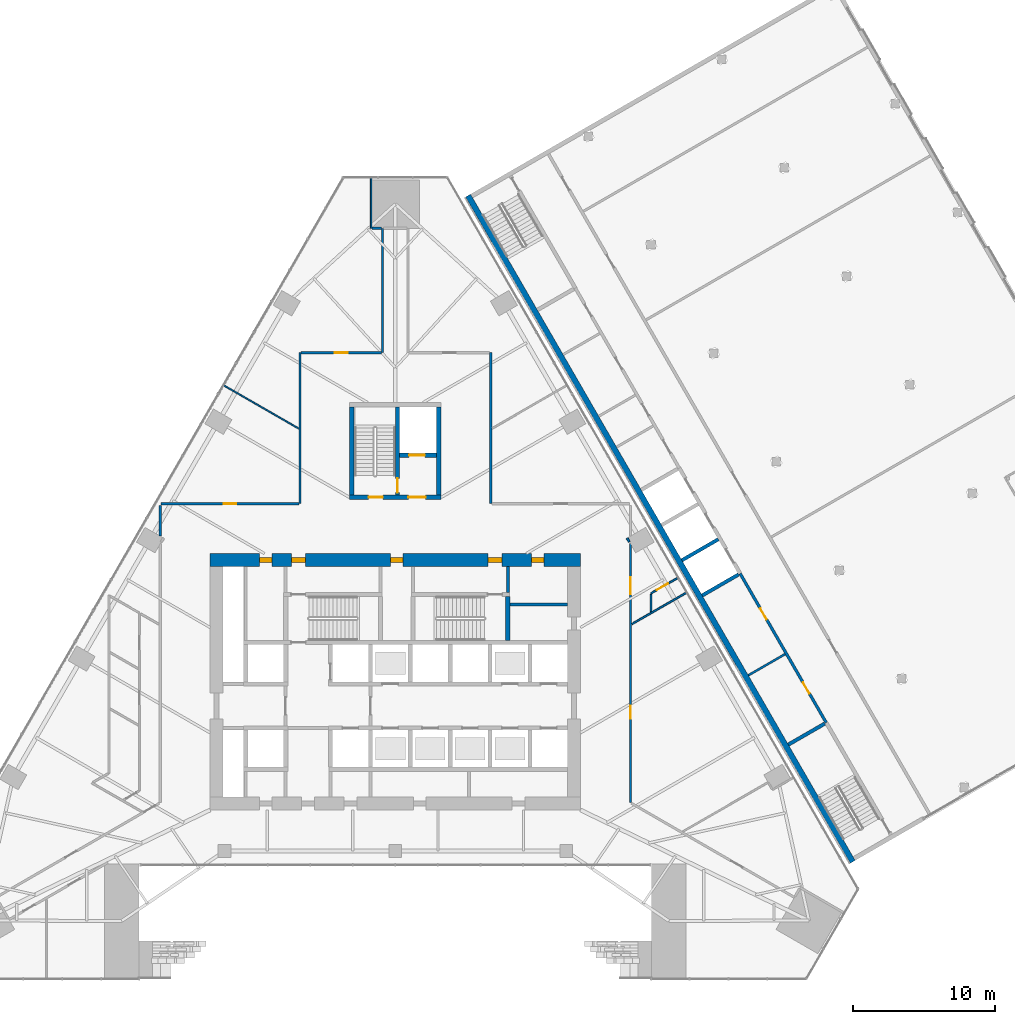
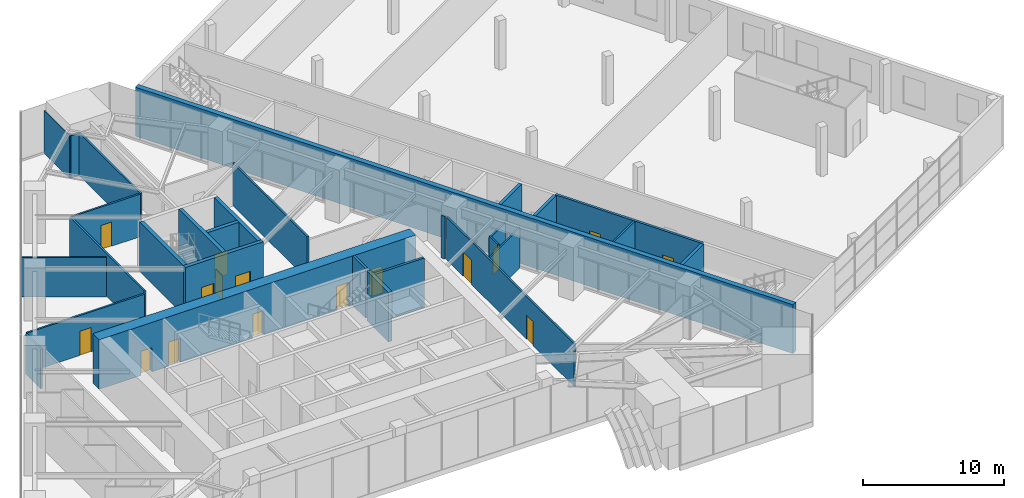
# One storey, part 19 of 29: 29 walls, 16 doors, 16 openings.
"""IFC4 building model written with IfcOpenShell, lengths in metres."""

from ifc_helpers import new_model, si_unit, direction, frame, frame_2d, origin, place, context, subcontext, project, spatial, rectangle, extrude, material, layer, layer_set, type_object, element, fill, save


model = new_model("IFC4")

# Units and contexts
model_context = context("Model", 3, precision=1e-05, world=origin(), true_north=direction((0.0, 1.0)))
body_context = subcontext(model_context, "Body", "Model", "MODEL_VIEW")
ifc_project = project(units=[si_unit("LENGTHUNIT", "METRE"), si_unit("AREAUNIT", "SQUARE_METRE"), si_unit("VOLUMEUNIT", "CUBIC_METRE"), si_unit("PLANEANGLEUNIT", "RADIAN"), si_unit("MASSUNIT", "GRAM", prefix="KILO")], contexts=[model_context])

# Site, building, storey
site_placement = place(None, origin())
site = spatial("IfcSite", under=ifc_project, at=site_placement, CompositionType="ELEMENT")
building_placement = place(site_placement, origin())
building = spatial("IfcBuilding", under=site, at=building_placement, Name="Firuza Gate Tower and Library", CompositionType="ELEMENT")
storey_placement = place(building_placement, frame((0.0, 0.0, 8.0)))
storey = spatial("IfcBuildingStorey", under=building, at=storey_placement, Name="L01", CompositionType="ELEMENT", Elevation=8.0)

# Walls
ifc_material_1 = material(Name="Plasterboard on steel studs", Category="steel")
ifc_layer_1 = layer(ifc_material_1, 0.199951171875)
ifc_layer_set_1 = layer_set([ifc_layer_1], Name="Core partition 200 EI 60")
wall_type_1 = type_object("IfcWallType", Name="Core partition 200 EI 60", PredefinedType="PARTITIONING", material=ifc_layer_set_1)
wall_1_placement = place(storey_placement, frame((83.050048828125, 80.425048828125, 0.0), z_axis=(0.0, 0.0, 1.0), x_axis=(1.0, 0.0, 0.0)))
element("IfcWall", 1, at=wall_1_placement, inside=storey, type_object=wall_type_1, Name="Core partition L01 4", PredefinedType="PARTITIONING", context=body_context, shape_type="SweptSolid", body=[
    extrude(rectangle(XDim=4.050048828125, YDim=0.199951171875, at=frame_2d((2.02490234375, 0.0))), origin(), (0.0, 0.0, 1.0), 4.300048828125),
])
wall_2_placement = place(storey_placement, frame((82.89990234375, 81.280029296875, 0.0), z_axis=(0.0, 0.0, 1.0), x_axis=(0.0, 1.0, 0.0)))
element("IfcWall", 2, at=wall_2_placement, inside=storey, type_object=wall_type_1, Name="Core partition L01 16", PredefinedType="PARTITIONING", context=body_context, shape_type="SweptSolid", body=[
    extrude(rectangle(XDim=1.820068359375, YDim=0.199951171875, at=frame_2d((0.91015625, 0.0))), origin(), (0.0, 0.0, 1.0), 4.300048828125),
])
ifc_material_2 = material(Name="Concrete C80/95", Category="concrete")
ifc_layer_2 = layer(ifc_material_2, 0.300048828125)
ifc_layer_set_2 = layer_set([ifc_layer_2], Name="Core wall 300 C80/95")
wall_type_2 = type_object("IfcWallType", Name="Core wall 300 C80/95", PredefinedType="SHEAR", material=ifc_layer_set_2)
wall_3_placement = place(storey_placement, frame((82.89990234375, 77.89990234375, 0.0), z_axis=(0.0, 0.0, 1.0), x_axis=(0.0, 1.0, 0.0)))
element("IfcWall", 3, at=wall_3_placement, inside=storey, type_object=wall_type_2, Name="Core wall L01 33", PredefinedType="SHEAR", context=body_context, shape_type="SweptSolid", body=[
    extrude(rectangle(XDim=3.080078125, YDim=0.300048828125, at=frame_2d((1.5400390625, 0.0))), origin(), (0.0, 0.0, 1.0), 4.300048828125),
])

# Wall, openings, doors
wall_4_placement = place(storey_placement, frame((71.800048828125, 87.949951171875, 0.0), z_axis=(0.0, 0.0, 1.0), x_axis=(1.0, 0.0, 0.0)))
wall_4 = element("IfcWall", 4, at=wall_4_placement, inside=storey, type_object=wall_type_2, Name="Core wall L01 34", PredefinedType="SHEAR", context=body_context, shape_type="SweptSolid", body=[
    extrude(rectangle(XDim=6.39990234375, YDim=0.300048828125, at=frame_2d((3.199951171875, 0.0))), origin(), (0.0, 0.0, 1.0), 4.300048828125),
])
opening_1_placement = place(wall_4_placement, frame((1.324951171875, 0.0, 0.0)))
opening_1 = element("IfcOpeningElement", 5, at=opening_1_placement, cuts=wall_4, Name="Opening L01-K17", PredefinedType="OPENING", context=body_context, shape_type="SweptSolid", body=[
    extrude(rectangle(XDim=1.0, YDim=2.10009765625, at=frame_2d((0.5, 1.050048828125))), frame((0.0, 0.16015625, 0.0), z_axis=(0.0, -1.0, 0.0), x_axis=(1.0, 0.0, 0.0)), (0.0, 0.0, 1.0), 0.320068359375),
])
opening_2_placement = place(wall_4_placement, frame((4.125, 0.0, 0.0)))
opening_2 = element("IfcOpeningElement", 6, at=opening_2_placement, cuts=wall_4, Name="Opening L01-K19", PredefinedType="OPENING", context=body_context, shape_type="SweptSolid", body=[
    extrude(rectangle(XDim=1.199951171875, YDim=2.10009765625, at=frame_2d((0.60009765625, 1.050048828125))), frame((0.0, 0.16015625, 0.0), z_axis=(0.0, -1.0, 0.0), x_axis=(1.0, 0.0, 0.0)), (0.0, 0.0, 1.0), 0.320068359375),
])
ifc_material_3 = material(Name="Steel", Category="steel")
door_type_1 = type_object("IfcDoorType", Name="Fire door 1000x2100 FD90", OperationType="NOTDEFINED", PredefinedType="DOOR", material=ifc_material_3)
door_1_placement = place(opening_1_placement, origin())
door_1 = element("IfcDoor", 7, at=door_1_placement, inside=storey, type_object=door_type_1, Name="Door L01-K17", OperationType="SINGLE_SWING_RIGHT", OverallHeight=2.10009765625, OverallWidth=1.0, PredefinedType="DOOR", context=body_context, shape_type="SweptSolid", body=[
    extrude(rectangle(XDim=1.0, YDim=2.10009765625, at=frame_2d((0.5, 1.050048828125))), frame((0.0, 0.02490234375, 0.0), z_axis=(0.0, -1.0, 0.0), x_axis=(1.0, 0.0, 0.0)), (0.0, 0.0, 1.0), 0.050048828125),
])
fill(opening_1, door_1)
ifc_material_4 = material(Name="Steel", Category="steel")
door_type_2 = type_object("IfcDoorType", Name="Fire door 1200x2100 FD30S", OperationType="NOTDEFINED", PredefinedType="DOOR", material=ifc_material_4)
door_2_placement = place(opening_2_placement, origin())
door_2 = element("IfcDoor", 8, at=door_2_placement, inside=storey, type_object=door_type_2, Name="Door L01-K19", OperationType="SINGLE_SWING_RIGHT", OverallHeight=2.10009765625, OverallWidth=1.199951171875, PredefinedType="DOOR", context=body_context, shape_type="SweptSolid", body=[
    extrude(rectangle(XDim=1.199951171875, YDim=2.10009765625, at=frame_2d((0.60009765625, 1.050048828125))), frame((0.0, 0.02490234375, 0.0), z_axis=(0.0, -1.0, 0.0), x_axis=(1.0, 0.0, 0.0)), (0.0, 0.0, 1.0), 0.050048828125),
])
fill(opening_2, door_2)

# Walls
for number, where, z_axis, x_axis, name in (
    (9, (71.949951171875, 88.10009765625, 0.0), (0.0, 0.0, 1.0), (0.0, 1.0, 0.0), "Core wall L01 36"),
    (10, (78.050048828125, 88.10009765625, 0.0), (0.0, 0.0, 1.0), (0.0, 1.0, 0.0), "Core wall L01 37"),
):
    element("IfcWall", number, at=place(storey_placement, frame(where, z_axis=z_axis, x_axis=x_axis)), inside=storey, type_object=wall_type_2, Name=name, PredefinedType="SHEAR", context=body_context, shape_type="SweptSolid", body=[
        extrude(rectangle(XDim=6.199951171875, YDim=0.300048828125, at=frame_2d((3.10009765625, 0.0))), origin(), (0.0, 0.0, 1.0), 4.300048828125),
    ])

# Wall, opening, door
wall_5_placement = place(storey_placement, frame((75.300048828125, 90.89990234375, 0.0), z_axis=(0.0, 0.0, 1.0), x_axis=(1.0, 0.0, 0.0)))
wall_5 = element("IfcWall", 11, at=wall_5_placement, inside=storey, type_object=wall_type_2, Name="Core wall L01 38", PredefinedType="SHEAR", context=body_context, shape_type="SweptSolid", body=[
    extrude(rectangle(XDim=2.599853515625, YDim=0.300048828125, at=frame_2d((1.2998046875, 0.0))), origin(), (0.0, 0.0, 1.0), 4.300048828125),
])
opening_3_placement = place(wall_5_placement, frame((0.675048828125, 0.0, 0.0)))
opening_3 = element("IfcOpeningElement", 12, at=opening_3_placement, cuts=wall_5, Name="Opening LD-SV1-L01", PredefinedType="OPENING", context=body_context, shape_type="SweptSolid", body=[
    extrude(rectangle(XDim=1.10009765625, YDim=2.10009765625, at=frame_2d((0.550048828125, 1.050048828125))), frame((0.0, 0.16015625, 0.0), z_axis=(0.0, -1.0, 0.0), x_axis=(1.0, 0.0, 0.0)), (0.0, 0.0, 1.0), 0.320068359375),
])
ifc_material_5 = material(Name="Stainless steel", Category="steel")
door_type_3 = type_object("IfcDoorType", Name="Lift landing door 1100x2100", OperationType="DOUBLE_DOOR_SLIDING", PredefinedType="DOOR", material=ifc_material_5)
door_3_placement = place(opening_3_placement, origin())
door_3 = element("IfcDoor", 13, at=door_3_placement, inside=storey, type_object=door_type_3, Name="Landing door SV1 L01", OperationType="DOUBLE_DOOR_SLIDING", OverallHeight=2.10009765625, OverallWidth=1.10009765625, PredefinedType="DOOR", context=body_context, shape_type="SweptSolid", body=[
    extrude(rectangle(XDim=1.10009765625, YDim=2.10009765625, at=frame_2d((0.550048828125, 1.050048828125))), frame((0.0, 0.02490234375, 0.0), z_axis=(0.0, -1.0, 0.0), x_axis=(1.0, 0.0, 0.0)), (0.0, 0.0, 1.0), 0.050048828125),
])
fill(opening_3, door_3)

wall_6_placement = place(storey_placement, frame((75.14990234375, 88.10009765625, 0.0), z_axis=(0.0, 0.0, 1.0), x_axis=(0.0, 1.0, 0.0)))
wall_6 = element("IfcWall", 14, at=wall_6_placement, inside=storey, type_object=wall_type_2, Name="Core wall L01 39", PredefinedType="SHEAR", context=body_context, shape_type="SweptSolid", body=[
    extrude(rectangle(XDim=6.199951171875, YDim=0.300048828125, at=frame_2d((3.10009765625, 0.0))), origin(), (0.0, 0.0, 1.0), 4.300048828125),
])
opening_4_placement = place(wall_6_placement, frame((0.18505859375, 0.0, 0.0)))
opening_4 = element("IfcOpeningElement", 15, at=opening_4_placement, cuts=wall_6, Name="Opening L01-K18", PredefinedType="OPENING", context=body_context, shape_type="SweptSolid", body=[
    extrude(rectangle(XDim=1.0, YDim=2.10009765625, at=frame_2d((0.5, 1.050048828125))), frame((0.0, 0.16015625, 0.0), z_axis=(0.0, -1.0, 0.0), x_axis=(1.0, 0.0, 0.0)), (0.0, 0.0, 1.0), 0.320068359375),
])
door_4_placement = place(opening_4_placement, origin())
door_4 = element("IfcDoor", 16, at=door_4_placement, inside=storey, type_object=door_type_1, Name="Door L01-K18", OperationType="SINGLE_SWING_LEFT", OverallHeight=2.10009765625, OverallWidth=1.0, PredefinedType="DOOR", context=body_context, shape_type="SweptSolid", body=[
    extrude(rectangle(XDim=1.0, YDim=2.10009765625, at=frame_2d((0.5, 1.050048828125))), frame((0.0, 0.02490234375, 0.0), z_axis=(0.0, -1.0, 0.0), x_axis=(1.0, 0.0, 0.0)), (0.0, 0.0, 1.0), 0.050048828125),
])
fill(opening_4, door_4)

# Wall, openings, doors
ifc_material_6 = material(Name="Concrete C80/95", Category="concrete")
ifc_layer_3 = layer(ifc_material_6, 0.89990234375)
ifc_layer_set_3 = layer_set([ifc_layer_3], Name="Core wall 900 C80/95")
wall_type_3 = type_object("IfcWallType", Name="Core wall 900 C80/95", PredefinedType="SHEAR", material=ifc_layer_set_3)
wall_7_placement = place(storey_placement, frame((62.0, 83.550048828125, 0.0), z_axis=(0.0, 0.0, 1.0), x_axis=(1.0, 0.0, 0.0)))
wall_7 = element("IfcWall", 17, at=wall_7_placement, inside=storey, type_object=wall_type_3, Name="Core wall L01 2", PredefinedType="SHEAR", context=body_context, shape_type="SweptSolid", body=[
    extrude(rectangle(XDim=26.0, YDim=0.89990234375, at=frame_2d((13.0, 0.0))), origin(), (0.0, 0.0, 1.0), 4.300048828125),
])
opening_5_placement = place(wall_7_placement, frame((5.695068359375, 0.0, 0.0)))
opening_5 = element("IfcOpeningElement", 18, at=opening_5_placement, cuts=wall_7, Name="Opening L01-K14", PredefinedType="OPENING", context=body_context, shape_type="SweptSolid", body=[
    extrude(rectangle(XDim=1.0, YDim=2.10009765625, at=frame_2d((0.5, 1.050048828125))), frame((0.0, 0.4599609375, 0.0), z_axis=(0.0, -1.0, 0.0), x_axis=(1.0, 0.0, 0.0)), (0.0, 0.0, 1.0), 0.919921875),
])
opening_6_placement = place(wall_7_placement, frame((19.5048828125, 0.0, 0.0)))
opening_6 = element("IfcOpeningElement", 19, at=opening_6_placement, cuts=wall_7, Name="Opening L01-K16", PredefinedType="OPENING", context=body_context, shape_type="SweptSolid", body=[
    extrude(rectangle(XDim=1.0, YDim=2.10009765625, at=frame_2d((0.5, 1.050048828125))), frame((0.0, 0.4599609375, 0.0), z_axis=(0.0, -1.0, 0.0), x_axis=(1.0, 0.0, 0.0)), (0.0, 0.0, 1.0), 0.919921875),
])
opening_7_placement = place(wall_7_placement, frame((3.449951171875, 0.0, 0.0)))
opening_7 = element("IfcOpeningElement", 20, at=opening_7_placement, cuts=wall_7, Name="Opening L01-K29", PredefinedType="OPENING", context=body_context, shape_type="SweptSolid", body=[
    extrude(rectangle(XDim=0.89990234375, YDim=2.10009765625, at=frame_2d((0.449951171875, 1.050048828125))), frame((0.0, 0.4599609375, 0.0), z_axis=(0.0, -1.0, 0.0), x_axis=(1.0, 0.0, 0.0)), (0.0, 0.0, 1.0), 0.919921875),
])
opening_8_placement = place(wall_7_placement, frame((12.64990234375, 0.0, 0.0)))
opening_8 = element("IfcOpeningElement", 21, at=opening_8_placement, cuts=wall_7, Name="Opening L01-K30", PredefinedType="OPENING", context=body_context, shape_type="SweptSolid", body=[
    extrude(rectangle(XDim=0.89990234375, YDim=2.10009765625, at=frame_2d((0.449951171875, 1.050048828125))), frame((0.0, 0.4599609375, 0.0), z_axis=(0.0, -1.0, 0.0), x_axis=(1.0, 0.0, 0.0)), (0.0, 0.0, 1.0), 0.919921875),
])
opening_9_placement = place(wall_7_placement, frame((22.550048828125, 0.0, 0.0)))
opening_9 = element("IfcOpeningElement", 22, at=opening_9_placement, cuts=wall_7, Name="Opening L01-K32", PredefinedType="OPENING", context=body_context, shape_type="SweptSolid", body=[
    extrude(rectangle(XDim=0.89990234375, YDim=2.10009765625, at=frame_2d((0.449951171875, 1.050048828125))), frame((0.0, 0.4599609375, 0.0), z_axis=(0.0, -1.0, 0.0), x_axis=(1.0, 0.0, 0.0)), (0.0, 0.0, 1.0), 0.919921875),
])
door_5_placement = place(opening_5_placement, origin())
door_5 = element("IfcDoor", 23, at=door_5_placement, inside=storey, type_object=door_type_1, Name="Door L01-K14", OperationType="SINGLE_SWING_LEFT", OverallHeight=2.10009765625, OverallWidth=1.0, PredefinedType="DOOR", context=body_context, shape_type="SweptSolid", body=[
    extrude(rectangle(XDim=1.0, YDim=2.10009765625, at=frame_2d((0.5, 1.050048828125))), frame((0.0, 0.169921875, 0.0), z_axis=(0.0, -1.0, 0.0), x_axis=(1.0, 0.0, 0.0)), (0.0, 0.0, 1.0), 0.33984375),
])
fill(opening_5, door_5)
door_6_placement = place(opening_6_placement, origin())
door_6 = element("IfcDoor", 24, at=door_6_placement, inside=storey, type_object=door_type_1, Name="Door L01-K16", OperationType="SINGLE_SWING_LEFT", OverallHeight=2.10009765625, OverallWidth=1.0, PredefinedType="DOOR", context=body_context, shape_type="SweptSolid", body=[
    extrude(rectangle(XDim=1.0, YDim=2.10009765625, at=frame_2d((0.5, 1.050048828125))), frame((0.0, 0.169921875, 0.0), z_axis=(0.0, -1.0, 0.0), x_axis=(1.0, 0.0, 0.0)), (0.0, 0.0, 1.0), 0.33984375),
])
fill(opening_6, door_6)
ifc_material_7 = material(Name="Steel", Category="steel")
door_type_4 = type_object("IfcDoorType", Name="Fire door 900x2100 FD30S", OperationType="NOTDEFINED", PredefinedType="DOOR", material=ifc_material_7)
door_7_placement = place(opening_7_placement, origin())
door_7 = element("IfcDoor", 25, at=door_7_placement, inside=storey, type_object=door_type_4, Name="Door L01-K29", OperationType="SINGLE_SWING_RIGHT", OverallHeight=2.10009765625, OverallWidth=0.89990234375, PredefinedType="DOOR", context=body_context, shape_type="SweptSolid", body=[
    extrude(rectangle(XDim=0.89990234375, YDim=2.10009765625, at=frame_2d((0.449951171875, 1.050048828125))), frame((0.0, 0.169921875, 0.0), z_axis=(0.0, -1.0, 0.0), x_axis=(1.0, 0.0, 0.0)), (0.0, 0.0, 1.0), 0.33984375),
])
fill(opening_7, door_7)
door_8_placement = place(opening_8_placement, origin())
door_8 = element("IfcDoor", 26, at=door_8_placement, inside=storey, type_object=door_type_4, Name="Door L01-K30", OperationType="SINGLE_SWING_LEFT", OverallHeight=2.10009765625, OverallWidth=0.89990234375, PredefinedType="DOOR", context=body_context, shape_type="SweptSolid", body=[
    extrude(rectangle(XDim=0.89990234375, YDim=2.10009765625, at=frame_2d((0.449951171875, 1.050048828125))), frame((0.0, 0.169921875, 0.0), z_axis=(0.0, -1.0, 0.0), x_axis=(1.0, 0.0, 0.0)), (0.0, 0.0, 1.0), 0.33984375),
])
fill(opening_8, door_8)
door_9_placement = place(opening_9_placement, origin())
door_9 = element("IfcDoor", 27, at=door_9_placement, inside=storey, type_object=door_type_4, Name="Door L01-K32", OperationType="SINGLE_SWING_LEFT", OverallHeight=2.10009765625, OverallWidth=0.89990234375, PredefinedType="DOOR", context=body_context, shape_type="SweptSolid", body=[
    extrude(rectangle(XDim=0.89990234375, YDim=2.10009765625, at=frame_2d((0.449951171875, 1.050048828125))), frame((0.0, 0.169921875, 0.0), z_axis=(0.0, -1.0, 0.0), x_axis=(1.0, 0.0, 0.0)), (0.0, 0.0, 1.0), 0.33984375),
])
fill(opening_9, door_9)

# Wall, opening, door
ifc_material_8 = material(Name="Gypsum board partition")
ifc_layer_4 = layer(ifc_material_8, 0.14990234375)
ifc_layer_set_4 = layer_set([ifc_layer_4], Name="Corridor wall 150 double board on steel studs")
wall_type_4 = type_object("IfcWallType", Name="Corridor wall 150 double board on steel studs", PredefinedType="PARTITIONING", material=ifc_layer_set_4)
wall_8_placement = place(storey_placement, frame((58.563232421875, 87.5, 0.0), z_axis=(0.0, 0.0, 1.0), x_axis=(1.0, 0.0, 0.0)))
wall_8 = element("IfcWall", 28, at=wall_8_placement, inside=storey, type_object=wall_type_4, Name="f:L01:w000", PredefinedType="PARTITIONING", context=body_context, shape_type="SweptSolid", body=[
    extrude(rectangle(XDim=9.661865234375, YDim=0.14990234375, at=frame_2d((4.8310546875, 0.0))), origin(), (0.0, 0.0, 1.0), 3.465087890625),
])
opening_10_placement = place(wall_8_placement, frame((4.380859375, 0.0, 0.0)))
opening_10 = element("IfcOpeningElement", 29, at=opening_10_placement, cuts=wall_8, Name="Opening L01-01", PredefinedType="OPENING", context=body_context, shape_type="SweptSolid", body=[
    extrude(rectangle(XDim=0.89990234375, YDim=2.10009765625, at=frame_2d((0.449951171875, 1.050048828125))), frame((0.0, 0.0849609375, 0.0), z_axis=(0.0, -1.0, 0.0), x_axis=(1.0, 0.0, 0.0)), (0.0, 0.0, 1.0), 0.169921875),
])
ifc_material_9 = material(Name="Steel door and timber leaf", Category="steel")
door_type_5 = type_object("IfcDoorType", Name="Fire door 900 x 2100 steel frame, timber leaf", OperationType="NOTDEFINED", PredefinedType="DOOR", material=ifc_material_9)
door_10_placement = place(opening_10_placement, origin())
door_10 = element("IfcDoor", 30, at=door_10_placement, inside=storey, type_object=door_type_5, Name="f:L01:d001", OperationType="SINGLE_SWING_RIGHT", OverallHeight=2.10009765625, OverallWidth=0.89990234375, PredefinedType="DOOR", context=body_context, shape_type="SweptSolid", body=[
    extrude(rectangle(XDim=0.89990234375, YDim=2.10009765625, at=frame_2d((0.449951171875, 1.050048828125))), frame((0.0, 0.02490234375, 0.0), z_axis=(0.0, -1.0, 0.0), x_axis=(1.0, 0.0, 0.0)), (0.0, 0.0, 1.0), 0.050048828125),
])
fill(opening_10, door_10)

wall_9_placement = place(storey_placement, frame((68.37548828125, 98.10009765625, 0.0), z_axis=(0.0, 0.0, 1.0), x_axis=(1.0, 0.0, 0.0)))
wall_9 = element("IfcWall", 31, at=wall_9_placement, inside=storey, type_object=wall_type_4, Name="f:L01:w002", PredefinedType="PARTITIONING", context=body_context, shape_type="SweptSolid", body=[
    extrude(rectangle(XDim=5.6494140625, YDim=0.14990234375, at=frame_2d((2.82470703125, 0.0))), origin(), (0.0, 0.0, 1.0), 3.699951171875),
])
opening_11_placement = place(wall_9_placement, frame((2.374755859375, 0.0, 0.0)))
opening_11 = element("IfcOpeningElement", 32, at=opening_11_placement, cuts=wall_9, Name="Opening L01-03", PredefinedType="OPENING", context=body_context, shape_type="SweptSolid", body=[
    extrude(rectangle(XDim=0.89990234375, YDim=2.10009765625, at=frame_2d((0.449951171875, 1.050048828125))), frame((0.0, 0.0849609375, 0.0), z_axis=(0.0, -1.0, 0.0), x_axis=(1.0, 0.0, 0.0)), (0.0, 0.0, 1.0), 0.169921875),
])
door_11_placement = place(opening_11_placement, origin())
door_11 = element("IfcDoor", 33, at=door_11_placement, inside=storey, type_object=door_type_5, Name="f:L01:d003", OperationType="SINGLE_SWING_LEFT", OverallHeight=2.10009765625, OverallWidth=0.89990234375, PredefinedType="DOOR", context=body_context, shape_type="SweptSolid", body=[
    extrude(rectangle(XDim=0.89990234375, YDim=2.10009765625, at=frame_2d((0.449951171875, 1.050048828125))), frame((0.0, 0.02490234375, 0.0), z_axis=(0.0, -1.0, 0.0), x_axis=(1.0, 0.0, 0.0)), (0.0, 0.0, 1.0), 0.050048828125),
])
fill(opening_11, door_11)

# Wall
wall_10_placement = place(storey_placement, frame((73.3505859375, 106.833984375, 0.0), z_axis=(0.0, 0.0, 1.0), x_axis=(1.0, 0.0, 0.0)))
element("IfcWall", 34, at=wall_10_placement, inside=storey, type_object=wall_type_4, Name="f:L01:w004", PredefinedType="PARTITIONING", context=body_context, shape_type="SweptSolid", body=[
    extrude(rectangle(XDim=0.67431640625, YDim=0.14990234375, at=frame_2d((0.337158203125, 0.0))), origin(), (0.0, 0.0, 1.0), 3.699951171875),
])

# Wall, openings, doors
wall_11_placement = place(storey_placement, frame((91.5, 84.690185546875, 0.0), z_axis=(0.0, 0.0, 1.0), x_axis=(0.0, -1.0, 0.0)))
wall_11 = element("IfcWall", 35, at=wall_11_placement, inside=storey, type_object=wall_type_4, Name="f:L01:w018", PredefinedType="PARTITIONING", context=body_context, shape_type="SweptSolid", body=[
    extrude(rectangle(XDim=18.17724609375, YDim=0.14990234375, at=frame_2d((9.088623046875, 0.0))), origin(), (0.0, 0.0, 1.0), 3.699951171875),
])
opening_12_placement = place(wall_11_placement, frame((2.354736328125, 0.0, 0.0)))
opening_12 = element("IfcOpeningElement", 36, at=opening_12_placement, cuts=wall_11, Name="Opening L01-11", PredefinedType="OPENING", context=body_context, shape_type="SweptSolid", body=[
    extrude(rectangle(XDim=1.199951171875, YDim=2.10009765625, at=frame_2d((0.60009765625, 1.050048828125))), frame((0.0, 0.0849609375, 0.0), z_axis=(0.0, -1.0, 0.0), x_axis=(1.0, 0.0, 0.0)), (0.0, 0.0, 1.0), 0.169921875),
])
opening_13_placement = place(wall_11_placement, frame((11.39013671875, 0.0, 0.0)))
opening_13 = element("IfcOpeningElement", 37, at=opening_13_placement, cuts=wall_11, Name="Opening L01-12", PredefinedType="OPENING", context=body_context, shape_type="SweptSolid", body=[
    extrude(rectangle(XDim=0.89990234375, YDim=2.10009765625, at=frame_2d((0.449951171875, 1.050048828125))), frame((0.0, 0.0849609375, 0.0), z_axis=(0.0, -1.0, 0.0), x_axis=(1.0, 0.0, 0.0)), (0.0, 0.0, 1.0), 0.169921875),
])
ifc_material_10 = material(Name="Steel door and timber leaf", Category="steel")
door_type_6 = type_object("IfcDoorType", Name="Fire door 1200 x 2100 steel frame, double leaf", OperationType="NOTDEFINED", PredefinedType="DOOR", material=ifc_material_10)
door_12_placement = place(opening_12_placement, origin())
door_12 = element("IfcDoor", 38, at=door_12_placement, inside=storey, type_object=door_type_6, Name="f:L01:d011", OperationType="DOUBLE_DOOR_SINGLE_SWING", OverallHeight=2.10009765625, OverallWidth=1.199951171875, PredefinedType="DOOR", context=body_context, shape_type="SweptSolid", body=[
    extrude(rectangle(XDim=1.199951171875, YDim=2.10009765625, at=frame_2d((0.60009765625, 1.050048828125))), frame((0.0, 0.02490234375, 0.0), z_axis=(0.0, -1.0, 0.0), x_axis=(1.0, 0.0, 0.0)), (0.0, 0.0, 1.0), 0.050048828125),
])
fill(opening_12, door_12)
door_13_placement = place(opening_13_placement, origin())
door_13 = element("IfcDoor", 39, at=door_13_placement, inside=storey, type_object=door_type_5, Name="f:L01:d012", OperationType="SINGLE_SWING_LEFT", OverallHeight=2.10009765625, OverallWidth=0.89990234375, PredefinedType="DOOR", context=body_context, shape_type="SweptSolid", body=[
    extrude(rectangle(XDim=0.89990234375, YDim=2.10009765625, at=frame_2d((0.449951171875, 1.050048828125))), frame((0.0, 0.02490234375, 0.0), z_axis=(0.0, -1.0, 0.0), x_axis=(1.0, 0.0, 0.0)), (0.0, 0.0, 1.0), 0.050048828125),
])
fill(opening_13, door_13)

# Walls
wall_12_placement = place(storey_placement, frame((81.699951171875, 87.5, 0.0), z_axis=(0.0, 0.0, 1.0), x_axis=(0.0, 1.0, 0.0)))
element("IfcWall", 40, at=wall_12_placement, inside=storey, type_object=wall_type_4, Name="f:L01:w020", PredefinedType="PARTITIONING", context=body_context, shape_type="SweptSolid", body=[
    extrude(rectangle(XDim=10.599609375, YDim=0.14990234375, at=frame_2d((5.2998046875, 0.0))), origin(), (0.0, 0.0, 1.0), 3.699951171875),
])
wall_13_placement = place(storey_placement, frame((74.10009765625, 98.10009765625, 0.0), z_axis=(0.0, 0.0, 1.0), x_axis=(0.0, 1.0, 0.0)))
element("IfcWall", 41, at=wall_13_placement, inside=storey, type_object=wall_type_4, Name="f:L01:w022", PredefinedType="PARTITIONING", context=body_context, shape_type="SweptSolid", body=[
    extrude(rectangle(XDim=8.733642578125, YDim=0.14990234375, at=frame_2d((4.36669921875, 0.0))), origin(), (0.0, 0.0, 1.0), 3.699951171875),
])
wall_14_placement = place(storey_placement, frame((68.300048828125, 87.5, 0.0), z_axis=(0.0, 0.0, 1.0), x_axis=(0.0, 1.0, 0.0)))
element("IfcWall", 42, at=wall_14_placement, inside=storey, type_object=wall_type_4, Name="f:L01:w024", PredefinedType="PARTITIONING", context=body_context, shape_type="SweptSolid", body=[
    extrude(rectangle(XDim=10.599609375, YDim=0.14990234375, at=frame_2d((5.2998046875, 0.0))), origin(), (0.0, 0.0, 1.0), 3.699951171875),
])
wall_15_placement = place(storey_placement, frame((58.5, 85.219482421875, 0.0), z_axis=(0.0, 0.0, 1.0), x_axis=(0.0, 1.0, 0.0)))
element("IfcWall", 43, at=wall_15_placement, inside=storey, type_object=wall_type_4, Name="f:L01:w026", PredefinedType="PARTITIONING", context=body_context, shape_type="SweptSolid", body=[
    extrude(rectangle(XDim=2.169921875, YDim=0.14990234375, at=frame_2d((1.0849609375, 0.0))), origin(), (0.0, 0.0, 1.0), 3.465087890625),
])
wall_16_placement = place(storey_placement, frame((91.42529296875, 84.820556640625, 0.0), z_axis=(0.0, 0.0, 1.0), x_axis=(-0.4998141712, 0.866132665513, 0.0)))
element("IfcWall", 44, at=wall_16_placement, inside=storey, type_object=wall_type_4, Name="f:L01:w031", PredefinedType="PARTITIONING", context=body_context, shape_type="SweptSolid", body=[
    extrude(rectangle(XDim=0.30712890625, YDim=0.14990234375, at=frame_2d((0.153564453125, 0.0))), origin(), (0.0, 0.0, 1.0), 3.699951171875),
])

# Wall, openings, doors
ifc_material_11 = material(Name="Masonry block", Category="masonry")
ifc_layer_5 = layer(ifc_material_11, 0.199951171875)
ifc_layer_set_5 = layer_set([ifc_layer_5], Name="LIB CORRIDOR WALL 200")
wall_type_5 = type_object("IfcWallType", Name="LIB CORRIDOR WALL 200", PredefinedType="PARTITIONING", material=ifc_layer_set_5)
wall_17_placement = place(storey_placement, frame((105.25, 72.124755859375, 0.0), z_axis=(0.0, 0.0, 1.0), x_axis=(-0.499996309931, 0.866027534236, 0.0)))
wall_17 = element("IfcWall", 45, at=wall_17_placement, inside=storey, type_object=wall_type_5, Name="L01 corr wall 6", PredefinedType="PARTITIONING", context=body_context, shape_type="SweptSolid", body=[
    extrude(rectangle(XDim=12.08984375, YDim=0.199951171875, at=frame_2d((6.044921875, 0.0))), origin(), (0.0, 0.0, 1.0), 4.239990234375),
])
opening_14_placement = place(wall_17_placement, frame((2.364990234375, 0.0, 0.0)))
opening_14 = element("IfcOpeningElement", 46, at=opening_14_placement, cuts=wall_17, Name="Opening LIB-D1-001", PredefinedType="OPENING", context=body_context, shape_type="SweptSolid", body=[
    extrude(rectangle(XDim=0.89990234375, YDim=2.10009765625, at=frame_2d((0.449951171875, 1.050048828125))), frame((0.0, 0.10986328125, 0.0), z_axis=(0.0, -1.0, 0.0), x_axis=(1.0, 0.0, 0.0)), (0.0, 0.0, 1.0), 0.219970703125),
])
opening_15_placement = place(wall_17_placement, frame((8.364990234375, 0.0, 0.0)))
opening_15 = element("IfcOpeningElement", 47, at=opening_15_placement, cuts=wall_17, Name="Opening LIB-D1-002", PredefinedType="OPENING", context=body_context, shape_type="SweptSolid", body=[
    extrude(rectangle(XDim=0.89990234375, YDim=2.10009765625, at=frame_2d((0.449951171875, 1.050048828125))), frame((0.0, 0.10986328125, 0.0), z_axis=(0.0, -1.0, 0.0), x_axis=(1.0, 0.0, 0.0)), (0.0, 0.0, 1.0), 0.219970703125),
])
ifc_material_12 = material(Name="Timber door leaf", Category="wood")
door_type_7 = type_object("IfcDoorType", Name="LIB DOOR 900", OperationType="NOTDEFINED", PredefinedType="DOOR", material=ifc_material_12)
door_14_placement = place(opening_14_placement, origin())
door_14 = element("IfcDoor", 48, at=door_14_placement, inside=storey, type_object=door_type_7, Name="L01 door 3", OperationType="SINGLE_SWING_LEFT", OverallHeight=2.10009765625, OverallWidth=0.89990234375, PredefinedType="DOOR", context=body_context, shape_type="SweptSolid", body=[
    extrude(rectangle(XDim=0.89990234375, YDim=2.10009765625, at=frame_2d((0.449951171875, 1.050048828125))), frame((0.0, 0.02490234375, 0.0), z_axis=(0.0, -1.0, 0.0), x_axis=(1.0, 0.0, 0.0)), (0.0, 0.0, 1.0), 0.050048828125),
])
fill(opening_14, door_14)
door_15_placement = place(opening_15_placement, origin())
door_15 = element("IfcDoor", 49, at=door_15_placement, inside=storey, type_object=door_type_7, Name="L01 door 4", OperationType="SINGLE_SWING_RIGHT", OverallHeight=2.10009765625, OverallWidth=0.89990234375, PredefinedType="DOOR", context=body_context, shape_type="SweptSolid", body=[
    extrude(rectangle(XDim=0.89990234375, YDim=2.10009765625, at=frame_2d((0.449951171875, 1.050048828125))), frame((0.0, 0.02490234375, 0.0), z_axis=(0.0, -1.0, 0.0), x_axis=(1.0, 0.0, 0.0)), (0.0, 0.0, 1.0), 0.050048828125),
])
fill(opening_15, door_15)

# Walls
ifc_material_13 = material(Name="Gypsum board on steel studs", Category="steel")
ifc_layer_6 = layer(ifc_material_13, 0.14990234375)
ifc_layer_set_6 = layer_set([ifc_layer_6], Name="LIB PARTITION 150")
wall_type_6 = type_object("IfcWallType", Name="LIB PARTITION 150", PredefinedType="PARTITIONING", material=ifc_layer_set_6)
wall_18_placement = place(storey_placement, frame((99.779296875, 75.449951171875, 0.0), z_axis=(0.0, 0.0, 1.0), x_axis=(0.866017493347, 0.500013701029, 0.0)))
element("IfcWall", 50, at=wall_18_placement, inside=storey, type_object=wall_type_6, Name="L01 part wall 5", PredefinedType="PARTITIONING", context=body_context, shape_type="SweptSolid", body=[
    extrude(rectangle(XDim=2.97509765625, YDim=0.14990234375, at=frame_2d((1.487548828125, 0.0))), origin(), (0.0, 0.0, 1.0), 4.239990234375),
])
ifc_material_14 = material(Name="Concrete C40/50", Category="concrete")
ifc_layer_7 = layer(ifc_material_14, 0.25)
ifc_layer_set_7 = layer_set([ifc_layer_7], Name="LIB SHAFT WALL 250")
wall_type_7 = type_object("IfcWallType", Name="LIB SHAFT WALL 250", PredefinedType="SOLIDWALL", material=ifc_layer_set_7)
for number, where, z_axis, x_axis, name in (
    (51, (102.5869140625, 70.58740234375, 0.0), (0.0, 0.0, 1.0), (0.866039495442, 0.49997559174, 0.0), "L01 shaft wall 1"),
    (52, (96.5419921875, 81.0576171875, 0.0), (0.0, 0.0, 1.0), (0.866039495442, 0.49997559174, 0.0), "L01 shaft wall 8"),
    (53, (95.116943359375, 83.525634765625, 0.0), (0.0, 0.0, 1.0), (0.866003658127, 0.500037662692, 0.0), "L01 shaft wall 9"),
):
    element("IfcWall", number, at=place(storey_placement, frame(where, z_axis=z_axis, x_axis=x_axis)), inside=storey, type_object=wall_type_7, Name=name, PredefinedType="SOLIDWALL", context=body_context, shape_type="SweptSolid", body=[
        extrude(rectangle(XDim=2.949951171875, YDim=0.25, at=frame_2d((1.47509765625, 0.0))), origin(), (0.0, 0.0, 1.0), 4.239990234375),
    ])
ifc_material_15 = material(Name="Concrete C40/50", Category="concrete")
ifc_layer_8 = layer(ifc_material_15, 0.39990234375)
ifc_layer_set_8 = layer_set([ifc_layer_8], Name="LIB WEST WALL 400")
wall_type_8 = type_object("IfcWallType", Name="LIB WEST WALL 400", PredefinedType="SOLIDWALL", material=ifc_layer_set_8)
wall_19_placement = place(storey_placement, frame((107.106201171875, 62.359619140625, 0.0), z_axis=(0.0, 0.0, 1.0), x_axis=(-0.49999992739, 0.866025445706, 0.0)))
element("IfcWall", 54, at=wall_19_placement, inside=storey, type_object=wall_type_8, Name="L01 west bearing wall", PredefinedType="SOLIDWALL", context=body_context, shape_type="SweptSolid", body=[
    extrude(rectangle(XDim=54.0, YDim=0.39990234375, at=frame_2d((27.0, 0.0))), origin(), (0.0, 0.0, 1.0), 4.239990234375),
])
ifc_material_16 = material(Name="Gypsum board partition")
ifc_layer_9 = layer(ifc_material_16, 0.10009765625)
ifc_layer_set_9 = layer_set([ifc_layer_9], Name="Partition 100 gypsum board on steel studs")
wall_type_9 = type_object("IfcWallType", Name="Partition 100 gypsum board on steel studs", PredefinedType="PARTITIONING", material=ifc_layer_set_9)
wall_20_placement = place(storey_placement, frame((73.300048828125, 106.834228515625, 0.0), z_axis=(0.0, 0.0, 1.0), x_axis=(0.0, 1.0, 0.0)))
element("IfcWall", 55, at=wall_20_placement, inside=storey, type_object=wall_type_9, Name="f:L01:w023", PredefinedType="PARTITIONING", context=body_context, shape_type="SweptSolid", body=[
    extrude(rectangle(XDim=3.5595703125, YDim=0.10009765625, at=frame_2d((1.77978515625, 0.0))), origin(), (0.0, 0.0, 1.0), 3.699951171875),
])
wall_21_placement = place(storey_placement, frame((68.198974609375, 92.782958984375, 0.0), z_axis=(0.0, 0.0, 1.0), x_axis=(-0.866019294229, 0.500010581911, 0.0)))
element("IfcWall", 56, at=wall_21_placement, inside=storey, type_object=wall_type_9, Name="f:L01:w033", PredefinedType="PARTITIONING", context=body_context, shape_type="SweptSolid", body=[
    extrude(rectangle(XDim=6.063232421875, YDim=0.10009765625, at=frame_2d((3.03173828125, 0.0))), origin(), (0.0, 0.0, 1.0), 3.465087890625),
])
ifc_material_17 = material(Name="Gypsum board partition")
ifc_layer_10 = layer(ifc_material_17, 0.1201171875)
ifc_layer_set_10 = layer_set([ifc_layer_10], Name="Wet-area partition 120 moisture-resistant board")
wall_type_10 = type_object("IfcWallType", Name="Wet-area partition 120 moisture-resistant board", PredefinedType="PARTITIONING", material=ifc_layer_set_10)
wall_22_placement = place(storey_placement, frame((91.609619140625, 79.047119140625, 0.0), z_axis=(0.0, 0.0, 1.0), x_axis=(0.866033470286, 0.49998602815, 0.0)))
element("IfcWall", 57, at=wall_22_placement, inside=storey, type_object=wall_type_10, Name="f:L01:w007", PredefinedType="PARTITIONING", context=body_context, shape_type="SweptSolid", body=[
    extrude(rectangle(XDim=4.436767578125, YDim=0.1201171875, at=frame_2d((2.21826171875, 0.0))), origin(), (0.0, 0.0, 1.0), 3.465087890625),
])

# Wall, opening, door
wall_23_placement = place(storey_placement, frame((92.949951171875, 81.20654296875, 0.0), z_axis=(0.0, 0.0, 1.0), x_axis=(0.866004154983, 0.500036802197, 0.0)))
wall_23 = element("IfcWall", 58, at=wall_23_placement, inside=storey, type_object=wall_type_10, Name="f:L01:w008", PredefinedType="PARTITIONING", context=body_context, shape_type="SweptSolid", body=[
    extrude(rectangle(XDim=2.196044921875, YDim=0.1201171875, at=frame_2d((1.09814453125, 0.0))), origin(), (0.0, 0.0, 1.0), 3.465087890625),
])
opening_16_placement = place(wall_23_placement, frame((0.468017578125, 0.0, 0.0)))
opening_16 = element("IfcOpeningElement", 59, at=opening_16_placement, cuts=wall_23, Name="Opening L01-05", PredefinedType="OPENING", context=body_context, shape_type="SweptSolid", body=[
    extrude(rectangle(XDim=0.89990234375, YDim=2.10009765625, at=frame_2d((0.449951171875, 1.050048828125))), frame((0.0, 0.070068359375, 0.0), z_axis=(0.0, -1.0, 0.0), x_axis=(1.0, 0.0, 0.0)), (0.0, 0.0, 1.0), 0.14013671875),
])
ifc_material_18 = material(Name="Timber door", Category="wood")
door_type_8 = type_object("IfcDoorType", Name="Door 900 x 2100 timber leaf", OperationType="NOTDEFINED", PredefinedType="DOOR", material=ifc_material_18)
door_16_placement = place(opening_16_placement, origin())
door_16 = element("IfcDoor", 60, at=door_16_placement, inside=storey, type_object=door_type_8, Name="f:L01:d005", OperationType="SINGLE_SWING_RIGHT", OverallHeight=2.10009765625, OverallWidth=0.89990234375, PredefinedType="DOOR", context=body_context, shape_type="SweptSolid", body=[
    extrude(rectangle(XDim=0.89990234375, YDim=2.10009765625, at=frame_2d((0.449951171875, 1.050048828125))), frame((0.0, 0.02490234375, 0.0), z_axis=(0.0, -1.0, 0.0), x_axis=(1.0, 0.0, 0.0)), (0.0, 0.0, 1.0), 0.050048828125),
])
fill(opening_16, door_16)

# Wall
wall_24_placement = place(storey_placement, frame((92.949951171875, 79.93017578125, 0.0), z_axis=(0.0, 0.0, 1.0), x_axis=(0.0, 1.0, 0.0)))
element("IfcWall", 61, at=wall_24_placement, inside=storey, type_object=wall_type_10, Name="f:L01:w017", PredefinedType="PARTITIONING", context=body_context, shape_type="SweptSolid", body=[
    extrude(rectangle(XDim=1.20703125, YDim=0.1201171875, at=frame_2d((0.603515625, 0.0))), origin(), (0.0, 0.0, 1.0), 3.699951171875),
])

save(model, "model.ifc")
